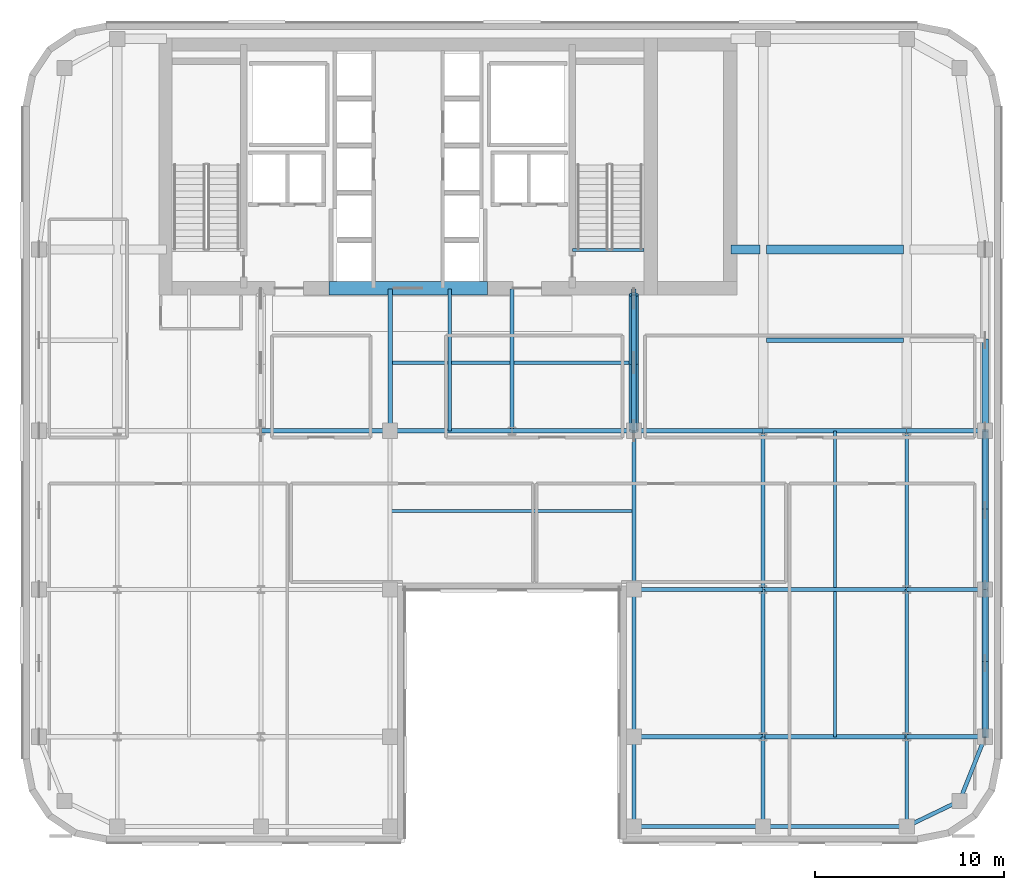
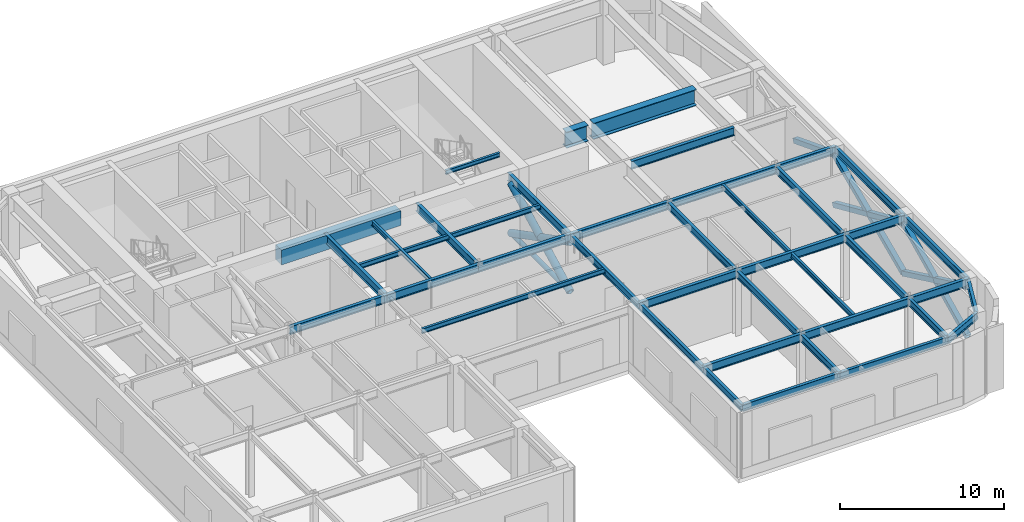
# One storey, part 3 of 12: 40 beams, 11 members.
"""IFC4 building model written with IfcOpenShell, lengths in metres."""

from ifc_helpers import new_model, si_unit, direction, frame, origin, origin_2d, place, context, subcontext, project, spatial, rectangle, hollow_rectangle, hollow_circle, i_section, extrude, source, transform, mapped, material, material_profile, profile_set, type_object, type_shapes, element, save


model = new_model("IFC4")

# Units and contexts
model_context = context("Model", 3, precision=1e-05, world=origin(), true_north=direction((0.0, 1.0)))
body_context = subcontext(model_context, "Body", "Model", "MODEL_VIEW")
ifc_project = project(units=[si_unit("LENGTHUNIT", "METRE"), si_unit("AREAUNIT", "SQUARE_METRE"), si_unit("VOLUMEUNIT", "CUBIC_METRE"), si_unit("PLANEANGLEUNIT", "RADIAN"), si_unit("MASSUNIT", "GRAM", prefix="KILO")], contexts=[model_context])

# Site, building, storey
site_placement = place(None, origin())
site = spatial("IfcSite", under=ifc_project, at=site_placement, CompositionType="ELEMENT")
building_placement = place(site_placement, origin())
building = spatial("IfcBuilding", under=site, at=building_placement, Name="Tolvann Quenvar Hotel", CompositionType="ELEMENT")
storey_placement = place(building_placement, frame((0.0, 0.0, 182.550048828125)))
storey = spatial("IfcBuildingStorey", under=building, at=storey_placement, Name="L48", CompositionType="ELEMENT", Elevation=182.550048828125)

# Beams
ifc_material_1 = material(Name="Concrete S65 (65 MPa)", Category="concrete")
ifc_material_profile_1 = material_profile(ifc_material_1, rectangle(XDim=0.699951171875, YDim=1.10009765625, at=origin_2d()), Name="RC700x1100")
ifc_profile_set_1 = profile_set([ifc_material_profile_1], Name="Concrete S65 (65 MPa)")
beam_type_1 = type_object("IfcBeamType", Name="BM_LINT_RC700x1100", PredefinedType="LINTEL", material=ifc_profile_set_1)
shared_shape_1 = source(origin(), body_context, "Body", "SweptSolid", [
    extrude(rectangle(XDim=0.699951171875, YDim=1.10009765625, at=origin_2d()), origin(), (0.0, 0.0, 1.0), 8.39990234375),
])
type_shapes(beam_type_1, [shared_shape_1])
beam_1_placement = place(storey_placement, frame((18.800048828125, 31.949951171875, 4.27001953125), z_axis=(1.0, 0.0, 0.0), x_axis=(0.0, 1.0, 0.0)))
element("IfcBeam", 1, at=beam_1_placement, inside=storey, type_object=beam_type_1, Name="Core Coupling Lintel Beam (L48)", PredefinedType="LINTEL", context=body_context, shape_type="MappedRepresentation", body=[
    mapped(shared_shape_1, transform((0.0, 0.0, 0.0), x_axis=(1.0, 0.0, 0.0), y_axis=(0.0, 1.0, 0.0), z_axis=(0.0, 0.0, 1.0), scale=1.0)),
])
ifc_material_2 = material(Name="Steel Grade 350", Category="steel")
ifc_material_profile_2 = material_profile(ifc_material_2, i_section(OverallWidth=0.208984375, OverallDepth=0.528076171875, WebThickness=0.009521484375, FlangeThickness=0.01318359375, FilletRadius=0.013916015625, at=origin_2d()), Name="530UB82")
ifc_profile_set_2 = profile_set([ifc_material_profile_2], Name="Steel Grade 350")
beam_type_2 = type_object("IfcBeamType", Name="BM_SPAND_530UB82", PredefinedType="SPANDREL", material=ifc_profile_set_2)
shared_shape_2 = source(origin(), body_context, "Body", "SweptSolid", [
    extrude(i_section(OverallWidth=0.208984375, OverallDepth=0.528076171875, WebThickness=0.009521484375, FlangeThickness=0.01318359375, FilletRadius=0.013916015625, at=origin_2d()), origin(), (0.0, 0.0, 1.0), 7.599853515625),
])
beam_2_placement = place(storey_placement, frame((41.800048828125, 3.449951171875, 4.555908203125), z_axis=(1.0, 0.0, 0.0), x_axis=(0.0, 1.0, 0.0)))
element("IfcBeam", 2, at=beam_2_placement, inside=storey, type_object=beam_type_2, Name="BM-L48-EW-2-H2-I2", PredefinedType="SPANDREL", context=body_context, shape_type="MappedRepresentation", body=[
    mapped(shared_shape_2, transform((0.0, 0.0, 0.0), x_axis=(1.0, 0.0, 0.0), y_axis=(0.0, 1.0, 0.0), z_axis=(0.0, 0.0, 1.0), scale=1.0)),
])
shared_shape_3 = source(origin(), body_context, "Body", "SweptSolid", [
    extrude(i_section(OverallWidth=0.208984375, OverallDepth=0.528076171875, WebThickness=0.009521484375, FlangeThickness=0.01318359375, FilletRadius=0.013916015625, at=origin_2d()), origin(), (0.0, 0.0, 1.0), 6.85009765625),
])
beam_3_placement = place(storey_placement, frame((34.949951171875, 3.449951171875, 4.555908203125), z_axis=(1.0, 0.0, 0.0), x_axis=(0.0, 1.0, 0.0)))
element("IfcBeam", 3, at=beam_3_placement, inside=storey, type_object=beam_type_2, Name="BM-L48-EW-2-F2-H2", PredefinedType="SPANDREL", context=body_context, shape_type="MappedRepresentation", body=[
    mapped(shared_shape_3, transform((0.0, 0.0, 0.0), x_axis=(1.0, 0.0, 0.0), y_axis=(0.0, 1.0, 0.0), z_axis=(0.0, 0.0, 1.0), scale=1.0)),
])
shared_shape_4 = source(origin(), body_context, "Body", "SweptSolid", [
    extrude(i_section(OverallWidth=0.208984375, OverallDepth=0.528076171875, WebThickness=0.009521484375, FlangeThickness=0.01318359375, FilletRadius=0.013916015625, at=origin_2d()), origin(), (0.0, 0.0, 1.0), 7.800048828125),
])
beam_4_placement = place(storey_placement, frame((53.550048828125, 8.199951171875, 4.555908203125), z_axis=(0.0, 1.0, 0.0), x_axis=(-1.0, 0.0, 0.0)))
element("IfcBeam", 4, at=beam_4_placement, inside=storey, type_object=beam_type_2, Name="BM-L48-NS-J3-J4", PredefinedType="SPANDREL", context=body_context, shape_type="MappedRepresentation", body=[
    mapped(shared_shape_4, transform((0.0, 0.0, 0.0), x_axis=(1.0, 0.0, 0.0), y_axis=(0.0, 1.0, 0.0), z_axis=(0.0, 0.0, 1.0), scale=1.0)),
])
shared_shape_5 = source(origin(), body_context, "Body", "SweptSolid", [
    extrude(i_section(OverallWidth=0.208984375, OverallDepth=0.528076171875, WebThickness=0.009521484375, FlangeThickness=0.01318359375, FilletRadius=0.013916015625, at=origin_2d()), origin(), (0.0, 0.0, 1.0), 8.39990234375),
])
beam_5_placement = place(storey_placement, frame((53.550048828125, 16.0, 4.555908203125), z_axis=(0.0, 1.0, 0.0), x_axis=(-1.0, 0.0, 0.0)))
element("IfcBeam", 5, at=beam_5_placement, inside=storey, type_object=beam_type_2, Name="BM-L48-NS-J4-J5", PredefinedType="SPANDREL", context=body_context, shape_type="MappedRepresentation", body=[
    mapped(shared_shape_5, transform((0.0, 0.0, 0.0), x_axis=(1.0, 0.0, 0.0), y_axis=(0.0, 1.0, 0.0), z_axis=(0.0, 0.0, 1.0), scale=1.0)),
])
ifc_material_profile_3 = material_profile(ifc_material_2, i_section(OverallWidth=0.208984375, OverallDepth=0.532958984375, WebThickness=0.01025390625, FlangeThickness=0.015625, FilletRadius=0.013916015625, at=origin_2d()), Name="530UB92")
ifc_profile_set_3 = profile_set([ifc_material_profile_3], Name="Steel Grade 350")
beam_type_3 = type_object("IfcBeamType", Name="BM_GIRD_530UB92", PredefinedType="BEAM", material=ifc_profile_set_3)
shared_shape_6 = source(origin(), body_context, "Body", "SweptSolid", [
    extrude(i_section(OverallWidth=0.208984375, OverallDepth=0.532958984375, WebThickness=0.01025390625, FlangeThickness=0.015625, FilletRadius=0.013916015625, at=origin_2d()), origin(), (0.0, 0.0, 1.0), 7.800048828125),
])
for number, where, z_axis, x_axis, name in (
    (6, (34.949951171875, 8.199951171875, 4.553466796875), (0.0, 1.0, 0.0), (-1.0, 0.0, 0.0), "BM-L48-NS-F3-F4"),
    (7, (41.800048828125, 8.199951171875, 4.553466796875), (0.0, 1.0, 0.0), (-1.0, 0.0, 0.0), "BM-L48-NS-H3-H4"),
    (8, (49.39990234375, 8.199951171875, 4.553466796875), (0.0, 1.0, 0.0), (-1.0, 0.0, 0.0), "BM-L48-NS-I3-I4"),
):
    element("IfcBeam", number, at=place(storey_placement, frame(where, z_axis=z_axis, x_axis=x_axis)), inside=storey, type_object=beam_type_3, Name=name, PredefinedType="BEAM", context=body_context, shape_type="MappedRepresentation", body=[
        mapped(shared_shape_6, transform((0.0, 0.0, 0.0), x_axis=(1.0, 0.0, 0.0), y_axis=(0.0, 1.0, 0.0), z_axis=(0.0, 0.0, 1.0), scale=1.0)),
    ])
shared_shape_7 = source(origin(), body_context, "Body", "SweptSolid", [
    extrude(i_section(OverallWidth=0.208984375, OverallDepth=0.532958984375, WebThickness=0.01025390625, FlangeThickness=0.015625, FilletRadius=0.013916015625, at=origin_2d()), origin(), (0.0, 0.0, 1.0), 8.39990234375),
])
for number, where, z_axis, x_axis, name in (
    (9, (34.949951171875, 16.0, 4.553466796875), (0.0, 1.0, 0.0), (-1.0, 0.0, 0.0), "BM-L48-NS-F4-F5"),
    (10, (41.800048828125, 16.0, 4.553466796875), (0.0, 1.0, 0.0), (-1.0, 0.0, 0.0), "BM-L48-NS-H4-H5"),
    (11, (49.39990234375, 16.0, 4.553466796875), (0.0, 1.0, 0.0), (-1.0, 0.0, 0.0), "BM-L48-NS-I4-I5"),
):
    element("IfcBeam", number, at=place(storey_placement, frame(where, z_axis=z_axis, x_axis=x_axis)), inside=storey, type_object=beam_type_3, Name=name, PredefinedType="BEAM", context=body_context, shape_type="MappedRepresentation", body=[
        mapped(shared_shape_7, transform((0.0, 0.0, 0.0), x_axis=(1.0, 0.0, 0.0), y_axis=(0.0, 1.0, 0.0), z_axis=(0.0, 0.0, 1.0), scale=1.0)),
    ])
ifc_material_profile_4 = material_profile(ifc_material_2, i_section(OverallWidth=0.5, OverallDepth=1.199951171875, WebThickness=0.01611328125, FlangeThickness=0.0400390625, at=origin_2d()), Name="1200WB455")
ifc_profile_set_4 = profile_set([ifc_material_profile_4], Name="Steel Grade 350")
beam_type_4 = type_object("IfcBeamType", Name="BM_TG_1200WB455", PredefinedType="USERDEFINED", material=ifc_profile_set_4)
shared_shape_8 = source(origin(), body_context, "Body", "SweptSolid", [
    extrude(i_section(OverallWidth=0.5, OverallDepth=1.199951171875, WebThickness=0.01611328125, FlangeThickness=0.0400390625, at=origin_2d()), origin(), (0.0, 0.0, 1.0), 1.52001953125),
])
beam_6_placement = place(storey_placement, frame((40.10009765625, 34.0, 4.219970703125), z_axis=(1.0, 0.0, 0.0), x_axis=(0.0, 1.0, 0.0)))
element("IfcBeam", 12, at=beam_6_placement, inside=storey, type_object=beam_type_4, Name="BM-L48-CTE-JD6A", ObjectType="TRANSFER GIRDER", PredefinedType="USERDEFINED", context=body_context, shape_type="MappedRepresentation", body=[
    mapped(shared_shape_8, transform((0.0, 0.0, 0.0), x_axis=(1.0, 0.0, 0.0), y_axis=(0.0, 1.0, 0.0), z_axis=(0.0, 0.0, 1.0), scale=1.0)),
])
shared_shape_9 = source(origin(), body_context, "Body", "SweptSolid", [
    extrude(i_section(OverallWidth=0.5, OverallDepth=1.199951171875, WebThickness=0.01611328125, FlangeThickness=0.0400390625, at=origin_2d()), origin(), (0.0, 0.0, 1.0), 7.239990234375),
])
type_shapes(beam_type_4, [shared_shape_8, shared_shape_9])
beam_7_placement = place(storey_placement, frame((41.97998046875, 34.0, 4.219970703125), z_axis=(1.0, 0.0, 0.0), x_axis=(0.0, 1.0, 0.0)))
element("IfcBeam", 13, at=beam_7_placement, inside=storey, type_object=beam_type_4, Name="BM-L48-CTE-JD6B", ObjectType="TRANSFER GIRDER", PredefinedType="USERDEFINED", context=body_context, shape_type="MappedRepresentation", body=[
    mapped(shared_shape_9, transform((0.0, 0.0, 0.0), x_axis=(1.0, 0.0, 0.0), y_axis=(0.0, 1.0, 0.0), z_axis=(0.0, 0.0, 1.0), scale=1.0)),
])
ifc_material_profile_5 = material_profile(ifc_material_2, i_section(OverallWidth=0.166015625, OverallDepth=0.306884765625, WebThickness=0.006591796875, FlangeThickness=0.01171875, FilletRadius=0.011474609375, at=origin_2d()), Name="310UB46")
ifc_profile_set_5 = profile_set([ifc_material_profile_5], Name="Steel Grade 350")
beam_type_5 = type_object("IfcBeamType", Name="BM_JOIST_310UB46", PredefinedType="JOIST", material=ifc_profile_set_5)
shared_shape_10 = source(origin(), body_context, "Body", "SweptSolid", [
    extrude(i_section(OverallWidth=0.166015625, OverallDepth=0.306884765625, WebThickness=0.006591796875, FlangeThickness=0.01171875, FilletRadius=0.011474609375, at=origin_2d()), origin(), (0.0, 0.0, 1.0), 3.800048828125),
])
type_shapes(beam_type_5, [shared_shape_10])
beam_8_placement = place(storey_placement, frame((31.699951171875, 33.97998046875, 4.66650390625), z_axis=(1.0, 0.0, 0.0), x_axis=(0.0, 1.0, 0.0)))
element("IfcBeam", 14, at=beam_8_placement, inside=storey, type_object=beam_type_5, Name="BM-HDR-STC2-L49", PredefinedType="JOIST", context=body_context, shape_type="MappedRepresentation", body=[
    mapped(shared_shape_10, transform((0.0, 0.0, 0.0), x_axis=(1.0, 0.0, 0.0), y_axis=(0.0, 1.0, 0.0), z_axis=(0.0, 0.0, 1.0), scale=1.0)),
])

# Members
ifc_material_3 = material(Name="Steel Grade 450 (C450L0)", Category="steel")
ifc_material_profile_6 = material_profile(ifc_material_3, hollow_rectangle(XDim=0.35009765625, YDim=0.35009765625, WallThickness=0.01611328125, at=origin_2d()), Name="350x350x16SHS")
ifc_profile_set_6 = profile_set([ifc_material_profile_6], Name="Steel Grade 450 (C450L0)")
member_type_1 = type_object("IfcMemberType", Name="MEM_BELT_350SHS", PredefinedType="BRACE", material=ifc_profile_set_6)
shared_shape_11 = source(origin(), body_context, "Body", "SweptSolid", [
    extrude(hollow_rectangle(XDim=0.35009765625, YDim=0.35009765625, WallThickness=0.01611328125, at=origin_2d()), origin(), (0.0, 0.0, 1.0), 8.6416015625),
])
member_1_placement = place(storey_placement, frame((53.550048828125, 8.199951171875, 0.449951171875), z_axis=(0.0, 0.902606045466, 0.430467567522), x_axis=(-1.0, 0.0, 0.0)))
element("IfcMember", 15, at=member_1_placement, inside=storey, type_object=member_type_1, Name="Belt Truss Primary Brace L48-E1A", PredefinedType="BRACE", context=body_context, shape_type="MappedRepresentation", body=[
    mapped(shared_shape_11, transform((0.0, 0.0, 0.0), x_axis=(1.0, 0.0, 0.0), y_axis=(0.0, 1.0, 0.0), z_axis=(0.0, 0.0, 1.0), scale=1.0)),
])
shared_shape_12 = source(origin(), body_context, "Body", "SweptSolid", [
    extrude(hollow_rectangle(XDim=0.35009765625, YDim=0.35009765625, WallThickness=0.01611328125, at=origin_2d()), origin(), (0.0, 0.0, 1.0), 4.32080078125),
])
for number, where, z_axis, x_axis, name in (
    (16, (53.550048828125, 16.0, 0.449951171875), (0.0, -0.902589832649, 0.430501560971), (1.0, 0.0, 0.0), "Belt Truss Split Brace Lower L48-E1B1"),
    (17, (53.550048828125, 12.10009765625, 2.31005859375), (0.0, -0.90262225657, 0.430433574369), (1.0, 0.0, 0.0), "Belt Truss Split Brace Upper L48-E1B2"),
):
    element("IfcMember", number, at=place(storey_placement, frame(where, z_axis=z_axis, x_axis=x_axis)), inside=storey, type_object=member_type_1, Name=name, PredefinedType="BRACE", context=body_context, shape_type="MappedRepresentation", body=[
        mapped(shared_shape_12, transform((0.0, 0.0, 0.0), x_axis=(1.0, 0.0, 0.0), y_axis=(0.0, 1.0, 0.0), z_axis=(0.0, 0.0, 1.0), scale=1.0)),
    ])
shared_shape_13 = source(origin(), body_context, "Body", "SweptSolid", [
    extrude(hollow_rectangle(XDim=0.35009765625, YDim=0.35009765625, WallThickness=0.01611328125, at=origin_2d()), origin(), (0.0, 0.0, 1.0), 9.186767578125),
])
member_2_placement = place(storey_placement, frame((53.550048828125, 16.0, 0.449951171875), z_axis=(0.0, 0.914348827398, 0.404927427863), x_axis=(-1.0, 0.0, 0.0)))
element("IfcMember", 18, at=member_2_placement, inside=storey, type_object=member_type_1, Name="Belt Truss Primary Brace L48-E2A", PredefinedType="BRACE", context=body_context, shape_type="MappedRepresentation", body=[
    mapped(shared_shape_13, transform((0.0, 0.0, 0.0), x_axis=(1.0, 0.0, 0.0), y_axis=(0.0, 1.0, 0.0), z_axis=(0.0, 0.0, 1.0), scale=1.0)),
])
shared_shape_14 = source(origin(), body_context, "Body", "SweptSolid", [
    extrude(hollow_rectangle(XDim=0.35009765625, YDim=0.35009765625, WallThickness=0.01611328125, at=origin_2d()), origin(), (0.0, 0.0, 1.0), 4.59326171875),
])
member_3_placement = place(storey_placement, frame((53.550048828125, 20.199951171875, 2.31005859375), z_axis=(0.0, -0.914358666594, 0.404905209679), x_axis=(1.0, 0.0, 0.0)))
element("IfcMember", 19, at=member_3_placement, inside=storey, type_object=member_type_1, Name="Belt Truss Split Brace Upper L48-E2B2", PredefinedType="BRACE", context=body_context, shape_type="MappedRepresentation", body=[
    mapped(shared_shape_14, transform((0.0, 0.0, 0.0), x_axis=(1.0, 0.0, 0.0), y_axis=(0.0, 1.0, 0.0), z_axis=(0.0, 0.0, 1.0), scale=1.0)),
])
shared_shape_15 = source(origin(), body_context, "Body", "SweptSolid", [
    extrude(hollow_rectangle(XDim=0.35009765625, YDim=0.35009765625, WallThickness=0.01611328125, at=origin_2d()), origin(), (0.0, 0.0, 1.0), 4.593505859375),
])
member_4_placement = place(storey_placement, frame((53.550048828125, 24.39990234375, 0.449951171875), z_axis=(0.0, -0.914338987874, 0.40494964533), x_axis=(1.0, 0.0, 0.0)))
element("IfcMember", 20, at=member_4_placement, inside=storey, type_object=member_type_1, Name="Belt Truss Split Brace Lower L48-E2B1", PredefinedType="BRACE", context=body_context, shape_type="MappedRepresentation", body=[
    mapped(shared_shape_15, transform((0.0, 0.0, 0.0), x_axis=(1.0, 0.0, 0.0), y_axis=(0.0, 1.0, 0.0), z_axis=(0.0, 0.0, 1.0), scale=1.0)),
])
shared_shape_16 = source(origin(), body_context, "Body", "SweptSolid", [
    extrude(hollow_rectangle(XDim=0.35009765625, YDim=0.35009765625, WallThickness=0.01611328125, at=origin_2d()), origin(), (0.0, 0.0, 1.0), 5.147705078125),
])
type_shapes(member_type_1, [shared_shape_11, shared_shape_12, shared_shape_13, shared_shape_14, shared_shape_15, shared_shape_16])
member_5_placement = place(storey_placement, frame((53.550048828125, 29.199951171875, 2.31005859375), z_axis=(0.0, -0.932451651097, 0.361294780431), x_axis=(1.0, 0.0, 0.0)))
element("IfcMember", 21, at=member_5_placement, inside=storey, type_object=member_type_1, Name="Belt Truss Split Brace Upper L48-E3B2", PredefinedType="BRACE", context=body_context, shape_type="MappedRepresentation", body=[
    mapped(shared_shape_16, transform((0.0, 0.0, 0.0), x_axis=(1.0, 0.0, 0.0), y_axis=(0.0, 1.0, 0.0), z_axis=(0.0, 0.0, 1.0), scale=1.0)),
])

# Beams
ifc_material_profile_7 = material_profile(ifc_material_2, i_section(OverallWidth=0.172119140625, OverallDepth=0.35888671875, WebThickness=0.008056640625, FlangeThickness=0.012939453125, FilletRadius=0.011474609375, at=origin_2d()), Name="360UB57")
ifc_profile_set_7 = profile_set([ifc_material_profile_7], Name="Steel Grade 350")
beam_type_6 = type_object("IfcBeamType", Name="BM_JOIST_360UB57", PredefinedType="JOIST", material=ifc_profile_set_7)
shared_shape_17 = source(origin(), body_context, "Body", "SweptSolid", [
    extrude(i_section(OverallWidth=0.172119140625, OverallDepth=0.35888671875, WebThickness=0.008056640625, FlangeThickness=0.012939453125, FilletRadius=0.011474609375, at=origin_2d()), origin(), (0.0, 0.0, 1.0), 12.89990234375),
])
for number, where, z_axis, x_axis, name in (
    (22, (22.050048828125, 20.14990234375, 4.640380859375), (1.0, 0.0, 0.0), (0.0, 1.0, 0.0), "BM-L48-SPINE-20"),
    (23, (22.050048828125, 28.0, 4.640380859375), (1.0, 0.0, 0.0), (0.0, 1.0, 0.0), "BM-L48-SPINE-28"),
):
    element("IfcBeam", number, at=place(storey_placement, frame(where, z_axis=z_axis, x_axis=x_axis)), inside=storey, type_object=beam_type_6, Name=name, PredefinedType="JOIST", context=body_context, shape_type="MappedRepresentation", body=[
        mapped(shared_shape_17, transform((0.0, 0.0, 0.0), x_axis=(1.0, 0.0, 0.0), y_axis=(0.0, 1.0, 0.0), z_axis=(0.0, 0.0, 1.0), scale=1.0)),
    ])
shared_shape_18 = source(origin(), body_context, "Body", "SweptSolid", [
    extrude(i_section(OverallWidth=0.172119140625, OverallDepth=0.35888671875, WebThickness=0.008056640625, FlangeThickness=0.012939453125, FilletRadius=0.011474609375, at=origin_2d()), origin(), (0.0, 0.0, 1.0), 7.5),
])
beam_9_placement = place(storey_placement, frame((25.199951171875, 24.39990234375, 4.640380859375), z_axis=(0.0, 1.0, 0.0), x_axis=(-1.0, 0.0, 0.0)))
element("IfcBeam", 24, at=beam_9_placement, inside=storey, type_object=beam_type_6, Name="BJ-L48-252-244", PredefinedType="JOIST", context=body_context, shape_type="MappedRepresentation", body=[
    mapped(shared_shape_18, transform((0.0, 0.0, 0.0), x_axis=(1.0, 0.0, 0.0), y_axis=(0.0, 1.0, 0.0), z_axis=(0.0, 0.0, 1.0), scale=1.0)),
])
shared_shape_19 = source(origin(), body_context, "Body", "SweptSolid", [
    extrude(i_section(OverallWidth=0.208984375, OverallDepth=0.528076171875, WebThickness=0.009521484375, FlangeThickness=0.01318359375, FilletRadius=0.013916015625, at=origin_2d()), origin(), (0.0, 0.0, 1.0), 3.108642578125),
])
beam_10_placement = place(storey_placement, frame((49.39990234375, 3.449951171875, 4.555908203125), z_axis=(0.900759354066, 0.434318530646, 0.0), x_axis=(-0.434318530646, 0.900759354066, 0.0)))
element("IfcBeam", 25, at=beam_10_placement, inside=storey, type_object=beam_type_2, Name="BM-L48-EW-2-I2-J2", PredefinedType="SPANDREL", context=body_context, shape_type="MappedRepresentation", body=[
    mapped(shared_shape_19, transform((0.0, 0.0, 0.0), x_axis=(1.0, 0.0, 0.0), y_axis=(0.0, 1.0, 0.0), z_axis=(0.0, 0.0, 1.0), scale=1.0)),
])
ifc_material_profile_8 = material_profile(ifc_material_2, i_section(OverallWidth=0.22802734375, OverallDepth=0.60205078125, WebThickness=0.010498046875, FlangeThickness=0.014892578125, FilletRadius=0.013916015625, at=origin_2d()), Name="610UB101")
ifc_profile_set_8 = profile_set([ifc_material_profile_8], Name="Steel Grade 350")
beam_type_7 = type_object("IfcBeamType", Name="BM_GIRD_610UB101", PredefinedType="BEAM", material=ifc_profile_set_8)
shared_shape_20 = source(origin(), body_context, "Body", "SweptSolid", [
    extrude(i_section(OverallWidth=0.22802734375, OverallDepth=0.60205078125, WebThickness=0.010498046875, FlangeThickness=0.014892578125, FilletRadius=0.013916015625, at=origin_2d()), origin(), (0.0, 0.0, 1.0), 4.150146484375),
])
for number, where, z_axis, x_axis, name in (
    (26, (49.39990234375, 8.199951171875, 4.51904296875), (1.0, 0.0, 0.0), (0.0, 1.0, 0.0), "BM-L48-EW-3-I3-J3"),
    (27, (49.39990234375, 16.0, 4.51904296875), (1.0, 0.0, 0.0), (0.0, 1.0, 0.0), "BM-L48-EW-4-I4-J4"),
    (28, (49.39990234375, 24.39990234375, 4.51904296875), (1.0, 0.0, 0.0), (0.0, 1.0, 0.0), "BM-L48-EW-5-I5-J5"),
):
    element("IfcBeam", number, at=place(storey_placement, frame(where, z_axis=z_axis, x_axis=x_axis)), inside=storey, type_object=beam_type_7, Name=name, PredefinedType="BEAM", context=body_context, shape_type="MappedRepresentation", body=[
        mapped(shared_shape_20, transform((0.0, 0.0, 0.0), x_axis=(1.0, 0.0, 0.0), y_axis=(0.0, 1.0, 0.0), z_axis=(0.0, 0.0, 1.0), scale=1.0)),
    ])
shared_shape_21 = source(origin(), body_context, "Body", "SweptSolid", [
    extrude(i_section(OverallWidth=0.22802734375, OverallDepth=0.60205078125, WebThickness=0.010498046875, FlangeThickness=0.014892578125, FilletRadius=0.013916015625, at=origin_2d()), origin(), (0.0, 0.0, 1.0), 7.599853515625),
])
for number, where, z_axis, x_axis, name in (
    (29, (41.800048828125, 8.199951171875, 4.51904296875), (1.0, 0.0, 0.0), (0.0, 1.0, 0.0), "BM-L48-EW-3-H3-I3"),
    (30, (41.800048828125, 16.0, 4.51904296875), (1.0, 0.0, 0.0), (0.0, 1.0, 0.0), "BM-L48-EW-4-H4-I4"),
    (31, (41.800048828125, 24.39990234375, 4.51904296875), (1.0, 0.0, 0.0), (0.0, 1.0, 0.0), "BM-L48-EW-5-H5-I5"),
):
    element("IfcBeam", number, at=place(storey_placement, frame(where, z_axis=z_axis, x_axis=x_axis)), inside=storey, type_object=beam_type_7, Name=name, PredefinedType="BEAM", context=body_context, shape_type="MappedRepresentation", body=[
        mapped(shared_shape_21, transform((0.0, 0.0, 0.0), x_axis=(1.0, 0.0, 0.0), y_axis=(0.0, 1.0, 0.0), z_axis=(0.0, 0.0, 1.0), scale=1.0)),
    ])
shared_shape_22 = source(origin(), body_context, "Body", "SweptSolid", [
    extrude(i_section(OverallWidth=0.22802734375, OverallDepth=0.60205078125, WebThickness=0.010498046875, FlangeThickness=0.014892578125, FilletRadius=0.013916015625, at=origin_2d()), origin(), (0.0, 0.0, 1.0), 6.85009765625),
])
for number, where, z_axis, x_axis, name in (
    (32, (34.949951171875, 8.199951171875, 4.51904296875), (1.0, 0.0, 0.0), (0.0, 1.0, 0.0), "BM-L48-EW-3-F3-H3"),
    (33, (34.949951171875, 16.0, 4.51904296875), (1.0, 0.0, 0.0), (0.0, 1.0, 0.0), "BM-L48-EW-4-F4-H4"),
    (34, (15.199951171875, 24.39990234375, 4.51904296875), (1.0, 0.0, 0.0), (0.0, 1.0, 0.0), "BM-L48-EW-5-D5-E5"),
    (35, (34.949951171875, 24.39990234375, 4.51904296875), (1.0, 0.0, 0.0), (0.0, 1.0, 0.0), "BM-L48-EW-5-F5-H5"),
):
    element("IfcBeam", number, at=place(storey_placement, frame(where, z_axis=z_axis, x_axis=x_axis)), inside=storey, type_object=beam_type_7, Name=name, PredefinedType="BEAM", context=body_context, shape_type="MappedRepresentation", body=[
        mapped(shared_shape_22, transform((0.0, 0.0, 0.0), x_axis=(1.0, 0.0, 0.0), y_axis=(0.0, 1.0, 0.0), z_axis=(0.0, 0.0, 1.0), scale=1.0)),
    ])
shared_shape_23 = source(origin(), body_context, "Body", "SweptSolid", [
    extrude(i_section(OverallWidth=0.22802734375, OverallDepth=0.60205078125, WebThickness=0.010498046875, FlangeThickness=0.014892578125, FilletRadius=0.013916015625, at=origin_2d()), origin(), (0.0, 0.0, 1.0), 6.449951171875),
])
for number, where, z_axis, x_axis, name in (
    (36, (22.050048828125, 24.39990234375, 4.51904296875), (1.0, 0.0, 0.0), (0.0, 1.0, 0.0), "BM-L48-EW-5-E5-M5"),
    (37, (28.5, 24.39990234375, 4.51904296875), (1.0, 0.0, 0.0), (0.0, 1.0, 0.0), "BM-L48-EW-5-M5-F5"),
):
    element("IfcBeam", number, at=place(storey_placement, frame(where, z_axis=z_axis, x_axis=x_axis)), inside=storey, type_object=beam_type_7, Name=name, PredefinedType="BEAM", context=body_context, shape_type="MappedRepresentation", body=[
        mapped(shared_shape_23, transform((0.0, 0.0, 0.0), x_axis=(1.0, 0.0, 0.0), y_axis=(0.0, 1.0, 0.0), z_axis=(0.0, 0.0, 1.0), scale=1.0)),
    ])
shared_shape_24 = source(origin(), body_context, "Body", "SweptSolid", [
    extrude(i_section(OverallWidth=0.208984375, OverallDepth=0.528076171875, WebThickness=0.009521484375, FlangeThickness=0.01318359375, FilletRadius=0.013916015625, at=origin_2d()), origin(), (0.0, 0.0, 1.0), 3.658203125),
])
type_shapes(beam_type_2, [shared_shape_2, shared_shape_3, shared_shape_4, shared_shape_5, shared_shape_19, shared_shape_24])
beam_11_placement = place(storey_placement, frame((52.199951171875, 4.800048828125, 4.555908203125), z_axis=(0.369065163807, 0.929403521009, 0.0), x_axis=(-0.929403521009, 0.369065163807, 0.0)))
element("IfcBeam", 38, at=beam_11_placement, inside=storey, type_object=beam_type_2, Name="BM-L48-NS-J2-J3", PredefinedType="SPANDREL", context=body_context, shape_type="MappedRepresentation", body=[
    mapped(shared_shape_24, transform((0.0, 0.0, 0.0), x_axis=(1.0, 0.0, 0.0), y_axis=(0.0, 1.0, 0.0), z_axis=(0.0, 0.0, 1.0), scale=1.0)),
])
shared_shape_25 = source(origin(), body_context, "Body", "SweptSolid", [
    extrude(i_section(OverallWidth=0.208984375, OverallDepth=0.532958984375, WebThickness=0.01025390625, FlangeThickness=0.015625, FilletRadius=0.013916015625, at=origin_2d()), origin(), (0.0, 0.0, 1.0), 4.75),
])
type_shapes(beam_type_3, [shared_shape_6, shared_shape_7, shared_shape_25])
for number, where, z_axis, x_axis, name in (
    (39, (34.949951171875, 3.449951171875, 4.553466796875), (0.0, 1.0, 0.0), (-1.0, 0.0, 0.0), "BM-L48-NS-F2-F3"),
    (40, (41.800048828125, 3.449951171875, 4.553466796875), (0.0, 1.0, 0.0), (-1.0, 0.0, 0.0), "BM-L48-NS-H2-H3"),
    (41, (49.39990234375, 3.449951171875, 4.553466796875), (0.0, 1.0, 0.0), (-1.0, 0.0, 0.0), "BM-L48-NS-I2-I3"),
):
    element("IfcBeam", number, at=place(storey_placement, frame(where, z_axis=z_axis, x_axis=x_axis)), inside=storey, type_object=beam_type_3, Name=name, PredefinedType="BEAM", context=body_context, shape_type="MappedRepresentation", body=[
        mapped(shared_shape_25, transform((0.0, 0.0, 0.0), x_axis=(1.0, 0.0, 0.0), y_axis=(0.0, 1.0, 0.0), z_axis=(0.0, 0.0, 1.0), scale=1.0)),
    ])
shared_shape_26 = source(origin(), body_context, "Body", "SweptSolid", [
    extrude(i_section(OverallWidth=0.22802734375, OverallDepth=0.60205078125, WebThickness=0.010498046875, FlangeThickness=0.014892578125, FilletRadius=0.013916015625, at=origin_2d()), origin(), (0.0, 0.0, 1.0), 7.5),
])
for number, where, z_axis, x_axis, name in (
    (42, (22.050048828125, 24.39990234375, 4.51904296875), (0.0, 1.0, 0.0), (-1.0, 0.0, 0.0), "BM-L48-CORE-E5"),
    (43, (34.949951171875, 24.39990234375, 4.51904296875), (0.0, 1.0, 0.0), (-1.0, 0.0, 0.0), "BM-L48-CORE-F5"),
    (44, (28.5, 24.39990234375, 4.51904296875), (0.0, 1.0, 0.0), (-1.0, 0.0, 0.0), "BM-L48-CORE-M5"),
):
    element("IfcBeam", number, at=place(storey_placement, frame(where, z_axis=z_axis, x_axis=x_axis)), inside=storey, type_object=beam_type_7, Name=name, PredefinedType="BEAM", context=body_context, shape_type="MappedRepresentation", body=[
        mapped(shared_shape_26, transform((0.0, 0.0, 0.0), x_axis=(1.0, 0.0, 0.0), y_axis=(0.0, 1.0, 0.0), z_axis=(0.0, 0.0, 1.0), scale=1.0)),
    ])
shared_shape_27 = source(origin(), body_context, "Body", "SweptSolid", [
    extrude(i_section(OverallWidth=0.22802734375, OverallDepth=0.60205078125, WebThickness=0.010498046875, FlangeThickness=0.014892578125, FilletRadius=0.013916015625, at=origin_2d()), origin(), (0.0, 0.0, 1.0), 7.239990234375),
])
type_shapes(beam_type_7, [shared_shape_20, shared_shape_21, shared_shape_22, shared_shape_23, shared_shape_26, shared_shape_27])
beam_12_placement = place(storey_placement, frame((41.97998046875, 29.199951171875, 4.51904296875), z_axis=(1.0, 0.0, 0.0), x_axis=(0.0, 1.0, 0.0)))
element("IfcBeam", 45, at=beam_12_placement, inside=storey, type_object=beam_type_7, Name="BM-L48-EW-HI29", PredefinedType="BEAM", context=body_context, shape_type="MappedRepresentation", body=[
    mapped(shared_shape_27, transform((0.0, 0.0, 0.0), x_axis=(1.0, 0.0, 0.0), y_axis=(0.0, 1.0, 0.0), z_axis=(0.0, 0.0, 1.0), scale=1.0)),
])
shared_shape_28 = source(origin(), body_context, "Body", "SweptSolid", [
    extrude(i_section(OverallWidth=0.172119140625, OverallDepth=0.35888671875, WebThickness=0.008056640625, FlangeThickness=0.012939453125, FilletRadius=0.011474609375, at=origin_2d()), origin(), (0.0, 0.0, 1.0), 7.692138671875),
])
beam_13_placement = place(storey_placement, frame((45.60009765625, 8.199951171875, 4.640380859375), z_axis=(0.0, 1.0, 0.0), x_axis=(-1.0, 0.0, 0.0)))
element("IfcBeam", 46, at=beam_13_placement, inside=storey, type_object=beam_type_6, Name="BJ-L48-456-82", PredefinedType="JOIST", context=body_context, shape_type="MappedRepresentation", body=[
    mapped(shared_shape_28, transform((0.0, 0.0, 0.0), x_axis=(1.0, 0.0, 0.0), y_axis=(0.0, 1.0, 0.0), z_axis=(0.0, 0.0, 1.0), scale=1.0)),
])
shared_shape_29 = source(origin(), body_context, "Body", "SweptSolid", [
    extrude(i_section(OverallWidth=0.172119140625, OverallDepth=0.35888671875, WebThickness=0.008056640625, FlangeThickness=0.012939453125, FilletRadius=0.011474609375, at=origin_2d()), origin(), (0.0, 0.0, 1.0), 8.2919921875),
])
type_shapes(beam_type_6, [shared_shape_17, shared_shape_18, shared_shape_28, shared_shape_29])
beam_14_placement = place(storey_placement, frame((45.60009765625, 16.10791015625, 4.640380859375), z_axis=(0.0, 1.0, 0.0), x_axis=(-1.0, 0.0, 0.0)))
element("IfcBeam", 47, at=beam_14_placement, inside=storey, type_object=beam_type_6, Name="BJ-L48-456-160", PredefinedType="JOIST", context=body_context, shape_type="MappedRepresentation", body=[
    mapped(shared_shape_29, transform((0.0, 0.0, 0.0), x_axis=(1.0, 0.0, 0.0), y_axis=(0.0, 1.0, 0.0), z_axis=(0.0, 0.0, 1.0), scale=1.0)),
])

# Members
ifc_material_profile_9 = material_profile(ifc_material_3, hollow_circle(Radius=0.25390625, WallThickness=0.01611328125, at=origin_2d()), Name="508x16CHS")
ifc_profile_set_9 = profile_set([ifc_material_profile_9], Name="Steel Grade 450 (C450L0)")
member_type_2 = type_object("IfcMemberType", Name="MEM_DIAG_508CHS", PredefinedType="BRACE", material=ifc_profile_set_9)
shared_shape_30 = source(origin(), body_context, "Body", "SweptSolid", [
    extrude(hollow_circle(Radius=0.25390625, WallThickness=0.01611328125, at=origin_2d()), origin(), (0.0, 0.0, 1.0), 8.1044921875),
])
member_6_placement = place(storey_placement, frame((34.949951171875, 31.60009765625, 0.449951171875), z_axis=(0.0, -0.888432458735, 0.4590073706), x_axis=(1.0, 0.0, 0.0)))
element("IfcMember", 48, at=member_6_placement, inside=storey, type_object=member_type_2, Name="Outrigger Truss Primary Diagonal L48-2A", PredefinedType="BRACE", context=body_context, shape_type="MappedRepresentation", body=[
    mapped(shared_shape_30, transform((0.0, 0.0, 0.0), x_axis=(1.0, 0.0, 0.0), y_axis=(0.0, 1.0, 0.0), z_axis=(0.0, 0.0, 1.0), scale=1.0)),
])
shared_shape_31 = source(origin(), body_context, "Body", "SweptSolid", [
    extrude(hollow_circle(Radius=0.25390625, WallThickness=0.01611328125, at=origin_2d()), origin(), (0.0, 0.0, 1.0), 4.05224609375),
])
type_shapes(member_type_2, [shared_shape_30, shared_shape_31])
for number, where, z_axis, x_axis, name in (
    (49, (34.949951171875, 24.39990234375, 0.449951171875), (0.0, 0.888420173895, 0.459031147763), (-1.0, 0.0, 0.0), "Outrigger Truss Split Diagonal Lower L48-2B1"),
    (50, (34.949951171875, 28.0, 2.31005859375), (0.0, 0.888444743279, 0.458983592452), (-1.0, 0.0, 0.0), "Outrigger Truss Split Diagonal Upper L48-2B2"),
):
    element("IfcMember", number, at=place(storey_placement, frame(where, z_axis=z_axis, x_axis=x_axis)), inside=storey, type_object=member_type_2, Name=name, PredefinedType="BRACE", context=body_context, shape_type="MappedRepresentation", body=[
        mapped(shared_shape_31, transform((0.0, 0.0, 0.0), x_axis=(1.0, 0.0, 0.0), y_axis=(0.0, 1.0, 0.0), z_axis=(0.0, 0.0, 1.0), scale=1.0)),
    ])
ifc_material_profile_10 = material_profile(ifc_material_3, hollow_circle(Radius=0.161865234375, WallThickness=0.010009765625, at=origin_2d()), Name="323.9x10CHS")
ifc_profile_set_10 = profile_set([ifc_material_profile_10], Name="Steel Grade 450 (C450L0)")
member_type_3 = type_object("IfcMemberType", Name="MEM_CHORD_324CHS", PredefinedType="CHORD", material=ifc_profile_set_10)
shared_shape_32 = source(origin(), body_context, "Body", "SweptSolid", [
    extrude(hollow_circle(Radius=0.161865234375, WallThickness=0.010009765625, at=origin_2d()), origin(), (0.0, 0.0, 1.0), 7.2001953125),
])
type_shapes(member_type_3, [shared_shape_32])
member_7_placement = place(storey_placement, frame((34.949951171875, 24.39990234375, 0.449951171875), z_axis=(0.0, 1.0, 0.0), x_axis=(-1.0, 0.0, 0.0)))
element("IfcMember", 51, at=member_7_placement, inside=storey, type_object=member_type_3, Name="Outrigger Bottom Chord L48-2", PredefinedType="CHORD", context=body_context, shape_type="MappedRepresentation", body=[
    mapped(shared_shape_32, transform((0.0, 0.0, 0.0), x_axis=(1.0, 0.0, 0.0), y_axis=(0.0, 1.0, 0.0), z_axis=(0.0, 0.0, 1.0), scale=1.0)),
])

save(model, "model.ifc")
